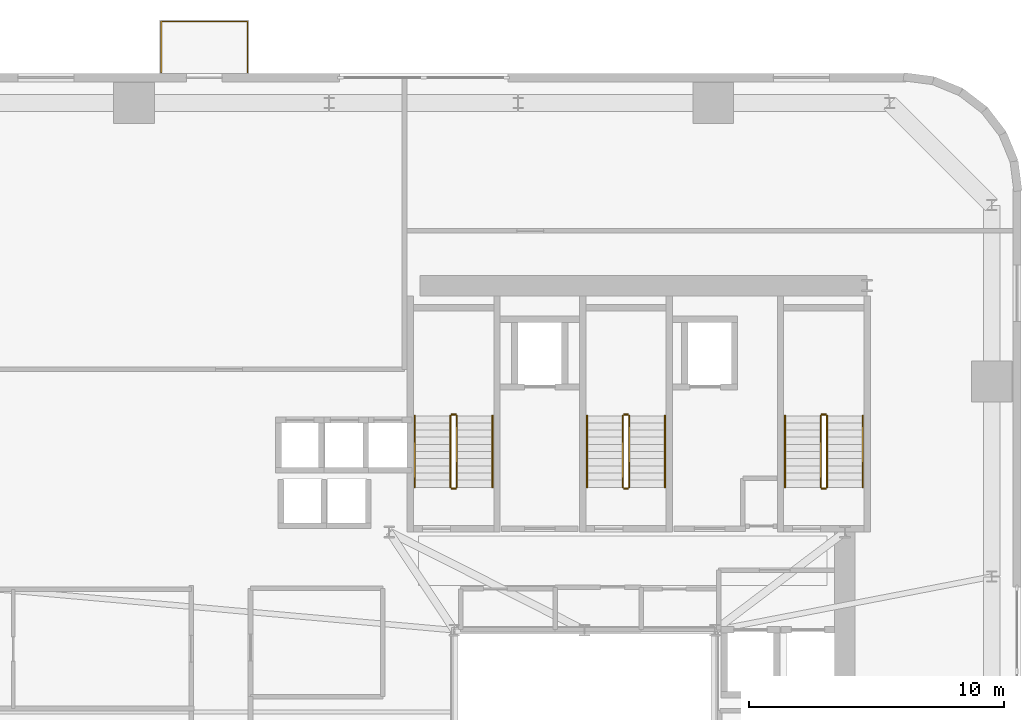
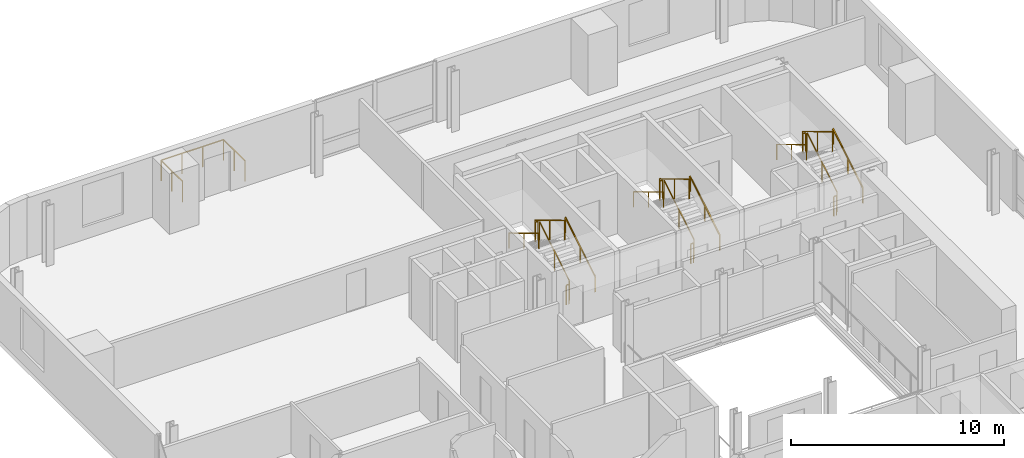
# One storey, part 11 of 11: 19 railings.
"""IFC4 building model written with IfcOpenShell, lengths in metres."""

from ifc_helpers import new_model, si_unit, direction, frame, origin, origin_2d, place, context, subcontext, project, spatial, rectangle, extrude, source, transform, mapped, material, type_object, element, save


model = new_model("IFC4")

# Units and contexts
model_context = context("Model", 3, precision=1e-05, world=origin(), true_north=direction((0.0, 1.0)))
body_context = subcontext(model_context, "Body", "Model", "MODEL_VIEW")
ifc_project = project(units=[si_unit("LENGTHUNIT", "METRE"), si_unit("AREAUNIT", "SQUARE_METRE"), si_unit("VOLUMEUNIT", "CUBIC_METRE"), si_unit("PLANEANGLEUNIT", "RADIAN"), si_unit("MASSUNIT", "GRAM", prefix="KILO")], contexts=[model_context])

# Site, building, storey
site_placement = place(None, origin())
site = spatial("IfcSite", under=ifc_project, at=site_placement, CompositionType="ELEMENT")
building_placement = place(site_placement, origin())
building = spatial("IfcBuilding", under=site, at=building_placement, Name="Vardaveli Station Tower", CompositionType="ELEMENT")
storey_placement = place(building_placement, frame((0.0, 0.0, 137.199951171875)))
storey = spatial("IfcBuildingStorey", under=building, at=storey_placement, Name="L35", CompositionType="ELEMENT", Elevation=137.199951171875)

# Railings
ifc_material_1 = material(Name="Laminated glass and stainless steel balustrade", Category="steel")
railing_type_1 = type_object("IfcRailingType", Name="RL-BAL-1200", PredefinedType="BALUSTRADE", material=ifc_material_1)
shared_shape_1 = source(origin(), body_context, "Body", "SweptSolid", [
    extrude(rectangle(XDim=0.048095703125, YDim=0.048095703125, at=origin_2d()), frame((0.0, 0.0, 1.17578125), z_axis=(0.0, 1.0, 0.0), x_axis=(-1.0, 0.0, 0.0)), (0.0, 0.0, 1.0), 2.0),
    extrude(rectangle(XDim=0.048095703125, YDim=0.048095703125, at=origin_2d()), frame((0.0, 2.0, 1.17578125), z_axis=(1.0, 0.0, 0.0), x_axis=(0.0, 1.0, 0.0)), (0.0, 0.0, 1.0), 3.3798828125),
    extrude(rectangle(XDim=0.048095703125, YDim=0.048095703125, at=origin_2d()), frame((3.3798828125, 2.0, 1.17578125), z_axis=(0.0, -1.0, 0.0), x_axis=(1.0, 0.0, 0.0)), (0.0, 0.0, 1.0), 2.0),
    extrude(rectangle(XDim=0.0419921875, YDim=0.0419921875, at=origin_2d()), origin(), (0.0, 0.0, 1.0), 1.15185546875),
    extrude(rectangle(XDim=0.0419921875, YDim=0.0419921875, at=origin_2d()), frame((0.0, 1.0, 0.0)), (0.0, 0.0, 1.0), 1.15185546875),
    extrude(rectangle(XDim=0.0419921875, YDim=0.0419921875, at=origin_2d()), frame((0.0, 2.0, 0.0)), (0.0, 0.0, 1.0), 1.15185546875),
    extrude(rectangle(XDim=0.0419921875, YDim=0.0419921875, at=origin_2d()), frame((1.126708984375, 2.0, 0.0)), (0.0, 0.0, 1.0), 1.15185546875),
    extrude(rectangle(XDim=0.0419921875, YDim=0.0419921875, at=origin_2d()), frame((2.253173828125, 2.0, 0.0)), (0.0, 0.0, 1.0), 1.15185546875),
    extrude(rectangle(XDim=0.0419921875, YDim=0.0419921875, at=origin_2d()), frame((3.3798828125, 2.0, 0.0)), (0.0, 0.0, 1.0), 1.15185546875),
    extrude(rectangle(XDim=0.0419921875, YDim=0.0419921875, at=origin_2d()), frame((3.3798828125, 1.0, 0.0)), (0.0, 0.0, 1.0), 1.15185546875),
    extrude(rectangle(XDim=0.0419921875, YDim=0.0419921875, at=origin_2d()), frame((3.3798828125, 0.0, 0.0)), (0.0, 0.0, 1.0), 1.15185546875),
])
railing_placement = place(storey_placement, frame((19.720458984375, 48.639892578125, 0.0)))
element("IfcRailing", 1, at=railing_placement, inside=storey, type_object=railing_type_1, Name="RL-LOG-L35-02", PredefinedType="BALUSTRADE", context=body_context, shape_type="MappedRepresentation", body=[
    mapped(shared_shape_1, transform((0.0, 0.0, 0.0), scale=1.0)),
])
ifc_material_2 = material(Name="Brushed AISI 316 stainless steel", Category="steel")
railing_type_2 = type_object("IfcRailingType", Name="RL-GUARD-1150", PredefinedType="GUARDRAIL", material=ifc_material_2)
shared_shape_2 = source(origin(), body_context, "Body", "SweptSolid", [
    extrude(rectangle(XDim=0.048095703125, YDim=0.048095703125, at=origin_2d()), frame((0.0, 0.0, 1.1259765625), z_axis=(-1.0, 0.0, 0.0), x_axis=(0.0, -1.0, 0.0)), (0.0, 0.0, 1.0), 0.14990234375),
    extrude(rectangle(XDim=0.0419921875, YDim=0.0419921875, at=origin_2d()), origin(), (0.0, 0.0, 1.0), 1.101806640625),
    extrude(rectangle(XDim=0.0419921875, YDim=0.0419921875, at=origin_2d()), frame((-0.14990234375, 0.0, 0.0)), (0.0, 0.0, 1.0), 1.101806640625),
])
for number, where, name in (
    (2, (31.25, 35.25, 1.85009765625), "L35 ST-1 stair guard 2"),
    (3, (31.25, 32.35009765625, 0.0), "L35 ST-1 stair guard 4"),
    (4, (38.0, 35.25, 1.85009765625), "L35 ST-2 stair guard 2"),
    (5, (38.0, 32.35009765625, 0.0), "L35 ST-2 stair guard 4"),
    (6, (45.75, 35.25, 1.85009765625), "L35 ST-3 stair guard 2"),
    (7, (45.75, 32.35009765625, 0.0), "L35 ST-3 stair guard 4"),
):
    element("IfcRailing", number, at=place(storey_placement, frame(where)), inside=storey, type_object=railing_type_2, Name=name, PredefinedType="GUARDRAIL", context=body_context, shape_type="MappedRepresentation", body=[
        mapped(shared_shape_2, transform((0.0, 0.0, 0.0), scale=1.0)),
    ])
shared_shape_3 = source(origin(), body_context, "Body", "SweptSolid", [
    extrude(rectangle(XDim=0.048095703125, YDim=0.048095703125, at=origin_2d()), frame((0.0, 0.0, 1.1259765625), z_axis=(0.0, 0.857242210791, 0.514913383045), x_axis=(-1.0, 0.0, 0.0)), (0.0, 0.0, 1.0), 3.266357421875),
    extrude(rectangle(XDim=0.0419921875, YDim=0.0419921875, at=origin_2d()), origin(), (0.0, 0.0, 1.0), 1.101806640625),
    extrude(rectangle(XDim=0.0419921875, YDim=0.0419921875, at=origin_2d()), frame((0.0, 1.39990234375, 0.8408203125)), (0.0, 0.0, 1.0), 1.101806640625),
    extrude(rectangle(XDim=0.0419921875, YDim=0.0419921875, at=origin_2d()), frame((0.0, 2.800048828125, 1.681884765625)), (0.0, 0.0, 1.0), 1.101806640625),
])
for number, where, name in (
    (8, (31.300048828125, 32.39990234375, 0.168212890625), "L35 ST-1 stair guard 1"),
    (9, (38.050048828125, 32.39990234375, 0.168212890625), "L35 ST-2 stair guard 1"),
    (10, (45.800048828125, 32.39990234375, 0.168212890625), "L35 ST-3 stair guard 1"),
):
    element("IfcRailing", number, at=place(storey_placement, frame(where)), inside=storey, type_object=railing_type_2, Name=name, PredefinedType="GUARDRAIL", context=body_context, shape_type="MappedRepresentation", body=[
        mapped(shared_shape_3, transform((0.0, 0.0, 0.0), scale=1.0)),
    ])
railing_type_3 = type_object("IfcRailingType", Name="RL-HAND-900", PredefinedType="HANDRAIL", material=ifc_material_2)
shared_shape_4 = source(origin(), body_context, "Body", "SweptSolid", [
    extrude(rectangle(XDim=0.048095703125, YDim=0.048095703125, at=origin_2d()), frame((0.0, 0.0, 0.8759765625), z_axis=(0.0, 0.857242210791, 0.514913383045), x_axis=(-1.0, 0.0, 0.0)), (0.0, 0.0, 1.0), 3.266357421875),
    extrude(rectangle(XDim=0.0419921875, YDim=0.0419921875, at=origin_2d()), origin(), (0.0, 0.0, 1.0), 0.851806640625),
    extrude(rectangle(XDim=0.0419921875, YDim=0.0419921875, at=origin_2d()), frame((0.0, 1.39990234375, 0.8408203125)), (0.0, 0.0, 1.0), 0.851806640625),
    extrude(rectangle(XDim=0.0419921875, YDim=0.0419921875, at=origin_2d()), frame((0.0, 2.800048828125, 1.681884765625)), (0.0, 0.0, 1.0), 0.851806640625),
])
for number, where, name in (
    (11, (32.699951171875, 32.39990234375, 0.168212890625), "L35 ST-1 stair handrail 1"),
    (12, (39.449951171875, 32.39990234375, 0.168212890625), "L35 ST-2 stair handrail 1"),
    (13, (47.199951171875, 32.39990234375, 0.168212890625), "L35 ST-3 stair handrail 1"),
):
    element("IfcRailing", number, at=place(storey_placement, frame(where)), inside=storey, type_object=railing_type_3, Name=name, PredefinedType="HANDRAIL", context=body_context, shape_type="MappedRepresentation", body=[
        mapped(shared_shape_4, transform((0.0, 0.0, 0.0), scale=1.0)),
    ])
shared_shape_5 = source(origin(), body_context, "Body", "SweptSolid", [
    extrude(rectangle(XDim=0.048095703125, YDim=0.048095703125, at=origin_2d()), frame((0.0, 0.0, 1.1259765625), z_axis=(0.0, -0.857275202839, 0.514858452973), x_axis=(1.0, 0.0, 0.0)), (0.0, 0.0, 1.0), 3.26611328125),
    extrude(rectangle(XDim=0.0419921875, YDim=0.0419921875, at=origin_2d()), origin(), (0.0, 0.0, 1.0), 1.101806640625),
    extrude(rectangle(XDim=0.0419921875, YDim=0.0419921875, at=origin_2d()), frame((0.0, -1.39990234375, 0.8408203125)), (0.0, 0.0, 1.0), 1.101806640625),
    extrude(rectangle(XDim=0.0419921875, YDim=0.0419921875, at=origin_2d()), frame((0.0, -2.800048828125, 1.681640625)), (0.0, 0.0, 1.0), 1.101806640625),
])
for number, where, name in (
    (14, (31.050048828125, 35.199951171875, 2.018310546875), "L35 ST-1 stair guard 3"),
    (15, (37.800048828125, 35.199951171875, 2.018310546875), "L35 ST-2 stair guard 3"),
    (16, (45.550048828125, 35.199951171875, 2.018310546875), "L35 ST-3 stair guard 3"),
):
    element("IfcRailing", number, at=place(storey_placement, frame(where)), inside=storey, type_object=railing_type_2, Name=name, PredefinedType="GUARDRAIL", context=body_context, shape_type="MappedRepresentation", body=[
        mapped(shared_shape_5, transform((0.0, 0.0, 0.0), scale=1.0)),
    ])
shared_shape_6 = source(origin(), body_context, "Body", "SweptSolid", [
    extrude(rectangle(XDim=0.048095703125, YDim=0.048095703125, at=origin_2d()), frame((0.0, 0.0, 0.8759765625), z_axis=(0.0, -0.857275202839, 0.514858452973), x_axis=(1.0, 0.0, 0.0)), (0.0, 0.0, 1.0), 3.26611328125),
    extrude(rectangle(XDim=0.0419921875, YDim=0.0419921875, at=origin_2d()), origin(), (0.0, 0.0, 1.0), 0.851806640625),
    extrude(rectangle(XDim=0.0419921875, YDim=0.0419921875, at=origin_2d()), frame((0.0, -1.39990234375, 0.8408203125)), (0.0, 0.0, 1.0), 0.851806640625),
    extrude(rectangle(XDim=0.0419921875, YDim=0.0419921875, at=origin_2d()), frame((0.0, -2.800048828125, 1.681640625)), (0.0, 0.0, 1.0), 0.851806640625),
])
for number, where, name in (
    (17, (29.64990234375, 35.199951171875, 2.018310546875), "L35 ST-1 stair handrail 2"),
    (18, (36.39990234375, 35.199951171875, 2.018310546875), "L35 ST-2 stair handrail 2"),
    (19, (44.14990234375, 35.199951171875, 2.018310546875), "L35 ST-3 stair handrail 2"),
):
    element("IfcRailing", number, at=place(storey_placement, frame(where)), inside=storey, type_object=railing_type_3, Name=name, PredefinedType="HANDRAIL", context=body_context, shape_type="MappedRepresentation", body=[
        mapped(shared_shape_6, transform((0.0, 0.0, 0.0), scale=1.0)),
    ])

save(model, "model.ifc")
